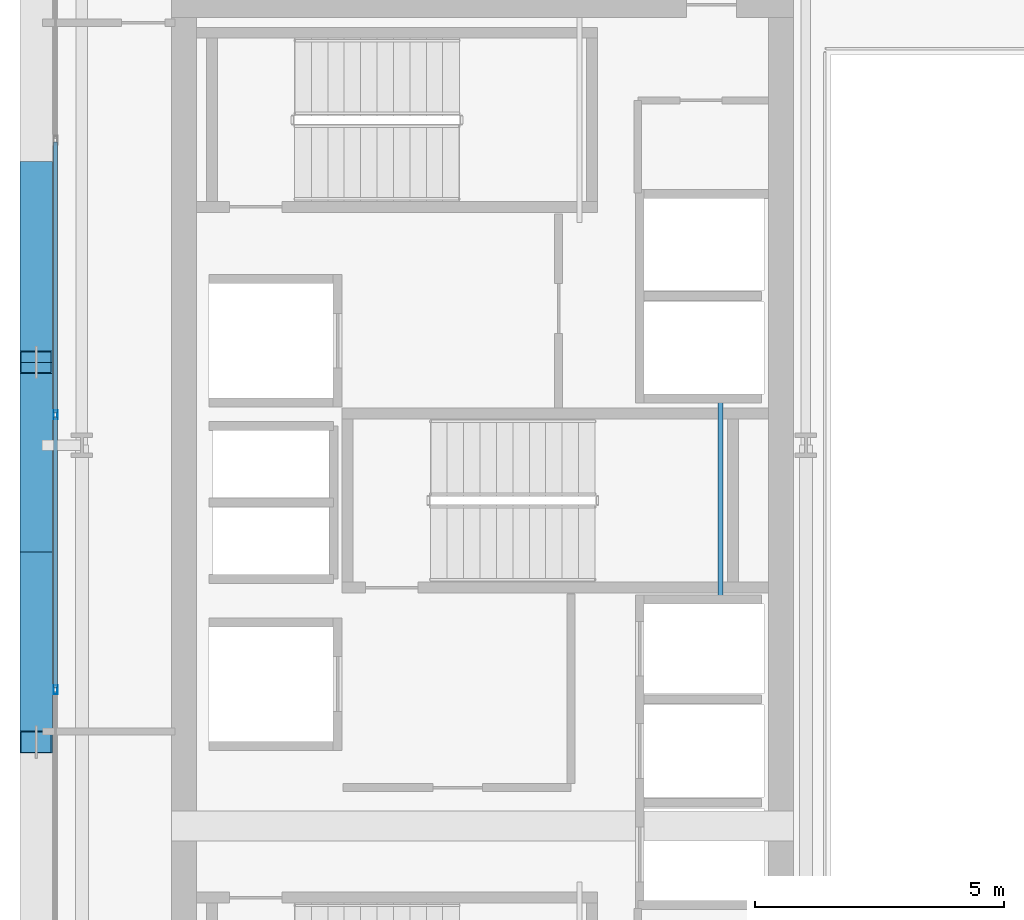
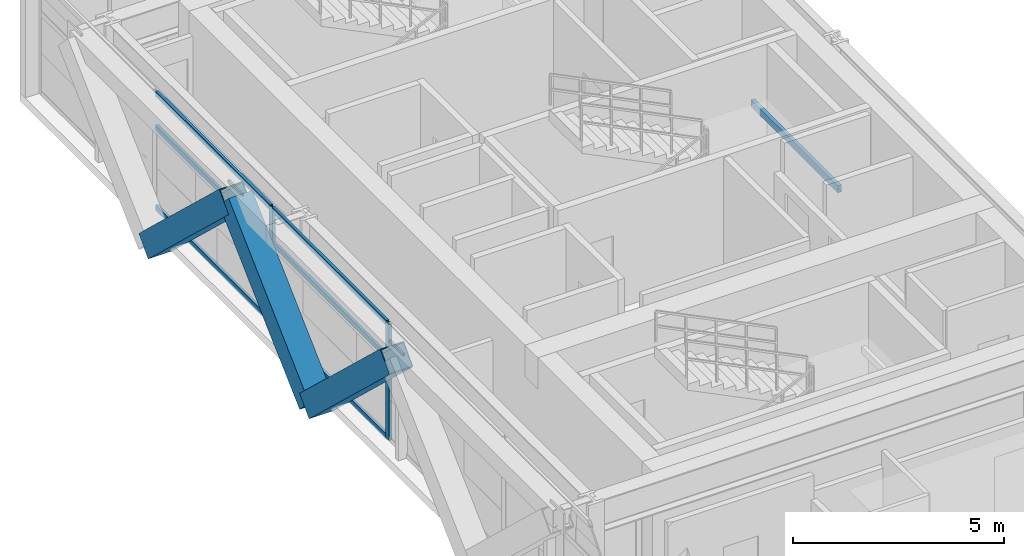
# One storey, part 7 of 32: 11 members, 1 beam, 1 element without a shape of its own.
"""IFC4 building model written with IfcOpenShell, lengths in metres."""

from ifc_helpers import new_model, si_unit, direction, frame, origin, origin_2d, place, context, subcontext, project, spatial, hollow_rectangle, extrude, source, transform, mapped, material, layer, layer_set, material_profile, profile_set, type_object, element, aggregate, save


model = new_model("IFC4")

# Units and contexts
model_context = context("Model", 3, precision=1e-05, world=origin(), true_north=direction((0.0, 1.0)))
body_context = subcontext(model_context, "Body", "Model", "MODEL_VIEW")
ifc_project = project(units=[si_unit("LENGTHUNIT", "METRE"), si_unit("AREAUNIT", "SQUARE_METRE"), si_unit("VOLUMEUNIT", "CUBIC_METRE"), si_unit("PLANEANGLEUNIT", "RADIAN"), si_unit("MASSUNIT", "GRAM", prefix="KILO")], contexts=[model_context])

# Site, building, storey
site_placement = place(None, origin())
site = spatial("IfcSite", under=ifc_project, at=site_placement, CompositionType="ELEMENT")
building_placement = place(site_placement, origin())
building = spatial("IfcBuilding", under=site, at=building_placement, Name="Ocotamira Hotel", CompositionType="ELEMENT")
storey_placement = place(building_placement, frame((0.0, 0.0, 177.60009765625)))
storey = spatial("IfcBuildingStorey", under=building, at=storey_placement, Name="L44", CompositionType="ELEMENT", Elevation=177.60009765625)

# Beam
ifc_material_1 = material(Name="Steel ASTM A500 Grade C", Category="steel")
ifc_material_profile_1 = material_profile(ifc_material_1, hollow_rectangle(XDim=0.10009765625, YDim=0.199951171875, WallThickness=0.008056640625, at=origin_2d()), Name="HSS200X100X8")
ifc_profile_set_1 = profile_set([ifc_material_profile_1], Name="Steel ASTM A500 Grade C")
beam_type = type_object("IfcBeamType", Name="BM-STLDG-HSS200", PredefinedType="BEAM", material=ifc_profile_set_1)
shared_shape_1 = source(origin(), body_context, "Body", "SweptSolid", [
    extrude(hollow_rectangle(XDim=0.10009765625, YDim=0.199951171875, WallThickness=0.008056640625, at=origin_2d()), origin(), (0.0, 0.0, 1.0), 4.1201171875),
])
beam_placement = place(storey_placement, frame((21.780029296875, 24.97998046875, 1.5), z_axis=(0.0, 1.0, 0.0), x_axis=(-1.0, 0.0, 0.0)))
element("IfcBeam", 1, at=beam_placement, inside=storey, type_object=beam_type, Name="L44 Stair ST-3 Landing Bearer 1", PredefinedType="BEAM", context=body_context, shape_type="MappedRepresentation", body=[
    mapped(shared_shape_1, transform((0.0, 0.0, 0.0), scale=1.0)),
])

# Members
ifc_material_2 = material(Name="Pale-metal coated steel ASTM A913 Grade 65", Category="steel")
ifc_material_profile_2 = material_profile(ifc_material_2, hollow_rectangle(XDim=0.64990234375, YDim=0.64990234375, WallThickness=0.02197265625, at=origin_2d()), Name="BOX650X650X22")
ifc_profile_set_2 = profile_set([ifc_material_profile_2], Name="Pale-metal coated steel ASTM A913 Grade 65")
member_type_1 = type_object("IfcMemberType", Name="MEM-EXO-BOX650", PredefinedType="BRACE", material=ifc_profile_set_2)
shared_shape_2 = source(origin(), body_context, "Body", "SweptSolid", [
    extrude(hollow_rectangle(XDim=0.64990234375, YDim=0.64990234375, WallThickness=0.02197265625, at=origin_2d()), origin(), (0.0, 0.0, 1.0), 5.24658203125),
])
for number, where, z_axis, x_axis, name in (
    (2, (8.030029296875, 26.0, -0.47998046875), (0.0, -0.72746596067, 0.686143772154), (1.0, 0.0, 0.0), "L44 Exoskeleton Diagrid W1.1"),
    (3, (8.030029296875, 26.0, -0.47998046875), (0.0, 0.72746596067, 0.686143772154), (-1.0, 0.0, 0.0), "L44 Exoskeleton Diagrid W1.2"),
    (4, (8.030029296875, 33.63330078125, -0.47998046875), (0.0, -0.72746596067, 0.686143772154), (1.0, 0.0, 0.0), "L44 Exoskeleton Diagrid W2.1"),
):
    element("IfcMember", number, at=place(storey_placement, frame(where, z_axis=z_axis, x_axis=x_axis)), inside=storey, type_object=member_type_1, Name=name, PredefinedType="BRACE", context=body_context, shape_type="MappedRepresentation", body=[
        mapped(shared_shape_2, transform((0.0, 0.0, 0.0), scale=1.0)),
    ])

# Curtain wall, members
ifc_material_3 = material(Name="Anodised pale-metal aluminium and solar glass", Category="aluminium")
ifc_layer = layer(ifc_material_3, 0.199951171875)
ifc_layer_set = layer_set([ifc_layer], Name="Anodised pale-metal aluminium and solar glass")
curtain_wall_type = type_object("IfcCurtainWallType", Name="CW-SYS4-Z3", PredefinedType="NOTDEFINED", material=ifc_layer_set)
curtain_wall_placement = place(storey_placement, origin())
curtain_wall = element("IfcCurtainWall", 5, at=curtain_wall_placement, inside=storey, type_object=curtain_wall_type, Name="L44 Curtain Wall CW-4 CW-L44-W", PredefinedType="NOTDEFINED")
ifc_material_4 = material(Name="Anodised pale-metal aluminium 6063-T6", Category="aluminium")
ifc_material_profile_3 = material_profile(ifc_material_4, hollow_rectangle(XDim=0.074951171875, YDim=0.14990234375, WallThickness=0.006103515625, at=origin_2d()), Name="HSS150X75X6")
ifc_profile_set_3 = profile_set([ifc_material_profile_3], Name="Anodised pale-metal aluminium 6063-T6")
member_type_2 = type_object("IfcMemberType", Name="CWT-150X75", PredefinedType="USERDEFINED", material=ifc_profile_set_3)
shared_shape_3 = source(origin(), body_context, "Body", "SweptSolid", [
    extrude(hollow_rectangle(XDim=0.074951171875, YDim=0.14990234375, WallThickness=0.006103515625, at=origin_2d()), origin(), (0.0, 0.0, 1.0), 5.43994140625),
])
member_1_placement = place(storey_placement, frame((8.419921875, 23.280029296875, 0.037353515625), z_axis=(0.0, 1.0, 0.0), x_axis=(-1.0, 0.0, 0.0)))
member_1 = element("IfcMember", 6, at=member_1_placement, type_object=member_type_2, Name="CW-4 transom 3.1", ObjectType="TRANSOM", PredefinedType="USERDEFINED", context=body_context, shape_type="MappedRepresentation", body=[
    mapped(shared_shape_3, transform((0.0, 0.0, 0.0), scale=1.0)),
])
member_2_placement = place(storey_placement, frame((8.419921875, 23.280029296875, 2.349853515625), z_axis=(0.0, 1.0, 0.0), x_axis=(-1.0, 0.0, 0.0)))
member_2 = element("IfcMember", 7, at=member_2_placement, type_object=member_type_2, Name="CW-4 transom 3.2", ObjectType="TRANSOM", PredefinedType="USERDEFINED", context=body_context, shape_type="MappedRepresentation", body=[
    mapped(shared_shape_3, transform((0.0, 0.0, 0.0), scale=1.0)),
])
member_3_placement = place(storey_placement, frame((8.419921875, 23.280029296875, 3.33251953125), z_axis=(0.0, 1.0, 0.0), x_axis=(-1.0, 0.0, 0.0)))
member_3 = element("IfcMember", 8, at=member_3_placement, type_object=member_type_2, Name="CW-4 transom 3.3", ObjectType="TRANSOM", PredefinedType="USERDEFINED", context=body_context, shape_type="MappedRepresentation", body=[
    mapped(shared_shape_3, transform((0.0, 0.0, 0.0), scale=1.0)),
])
member_4_placement = place(storey_placement, frame((8.419921875, 28.800048828125, 0.037353515625), z_axis=(0.0, 1.0, 0.0), x_axis=(-1.0, 0.0, 0.0)))
member_4 = element("IfcMember", 9, at=member_4_placement, type_object=member_type_2, Name="CW-4 transom 4.1", ObjectType="TRANSOM", PredefinedType="USERDEFINED", context=body_context, shape_type="MappedRepresentation", body=[
    mapped(shared_shape_3, transform((0.0, 0.0, 0.0), scale=1.0)),
])
member_5_placement = place(storey_placement, frame((8.419921875, 28.800048828125, 2.349853515625), z_axis=(0.0, 1.0, 0.0), x_axis=(-1.0, 0.0, 0.0)))
member_5 = element("IfcMember", 10, at=member_5_placement, type_object=member_type_2, Name="CW-4 transom 4.2", ObjectType="TRANSOM", PredefinedType="USERDEFINED", context=body_context, shape_type="MappedRepresentation", body=[
    mapped(shared_shape_3, transform((0.0, 0.0, 0.0), scale=1.0)),
])
member_6_placement = place(storey_placement, frame((8.419921875, 28.800048828125, 3.33251953125), z_axis=(0.0, 1.0, 0.0), x_axis=(-1.0, 0.0, 0.0)))
member_6 = element("IfcMember", 11, at=member_6_placement, type_object=member_type_2, Name="CW-4 transom 4.3", ObjectType="TRANSOM", PredefinedType="USERDEFINED", context=body_context, shape_type="MappedRepresentation", body=[
    mapped(shared_shape_3, transform((0.0, 0.0, 0.0), scale=1.0)),
])
ifc_material_profile_4 = material_profile(ifc_material_4, hollow_rectangle(XDim=0.080078125, YDim=0.179931640625, WallThickness=0.006103515625, at=origin_2d()), Name="HSS180X80X6")
ifc_profile_set_4 = profile_set([ifc_material_profile_4], Name="Anodised pale-metal aluminium 6063-T6")
member_type_3 = type_object("IfcMemberType", Name="CWM-180X75", PredefinedType="MULLION", material=ifc_profile_set_4)
shared_shape_4 = source(origin(), body_context, "Body", "SweptSolid", [
    extrude(hollow_rectangle(XDim=0.080078125, YDim=0.179931640625, WallThickness=0.006103515625, at=origin_2d()), origin(), (0.0, 0.0, 1.0), 3.369873046875),
])
member_7_placement = place(storey_placement, frame((8.419921875, 23.239990234375, 0.0), z_axis=(0.0, 0.0, 1.0), x_axis=(-1.0, 0.0, 0.0)))
member_7 = element("IfcMember", 12, at=member_7_placement, type_object=member_type_3, Name="CW-4 mullion 3", PredefinedType="MULLION", context=body_context, shape_type="MappedRepresentation", body=[
    mapped(shared_shape_4, transform((0.0, 0.0, 0.0), scale=1.0)),
])
member_8_placement = place(storey_placement, frame((8.419921875, 28.760009765625, 0.0), z_axis=(0.0, 0.0, 1.0), x_axis=(-1.0, 0.0, 0.0)))
member_8 = element("IfcMember", 13, at=member_8_placement, type_object=member_type_3, Name="CW-4 mullion 4", PredefinedType="MULLION", context=body_context, shape_type="MappedRepresentation", body=[
    mapped(shared_shape_4, transform((0.0, 0.0, 0.0), scale=1.0)),
])
aggregate(curtain_wall, [member_7, member_8, member_1, member_2, member_3, member_4, member_5, member_6])

save(model, "model.ifc")
